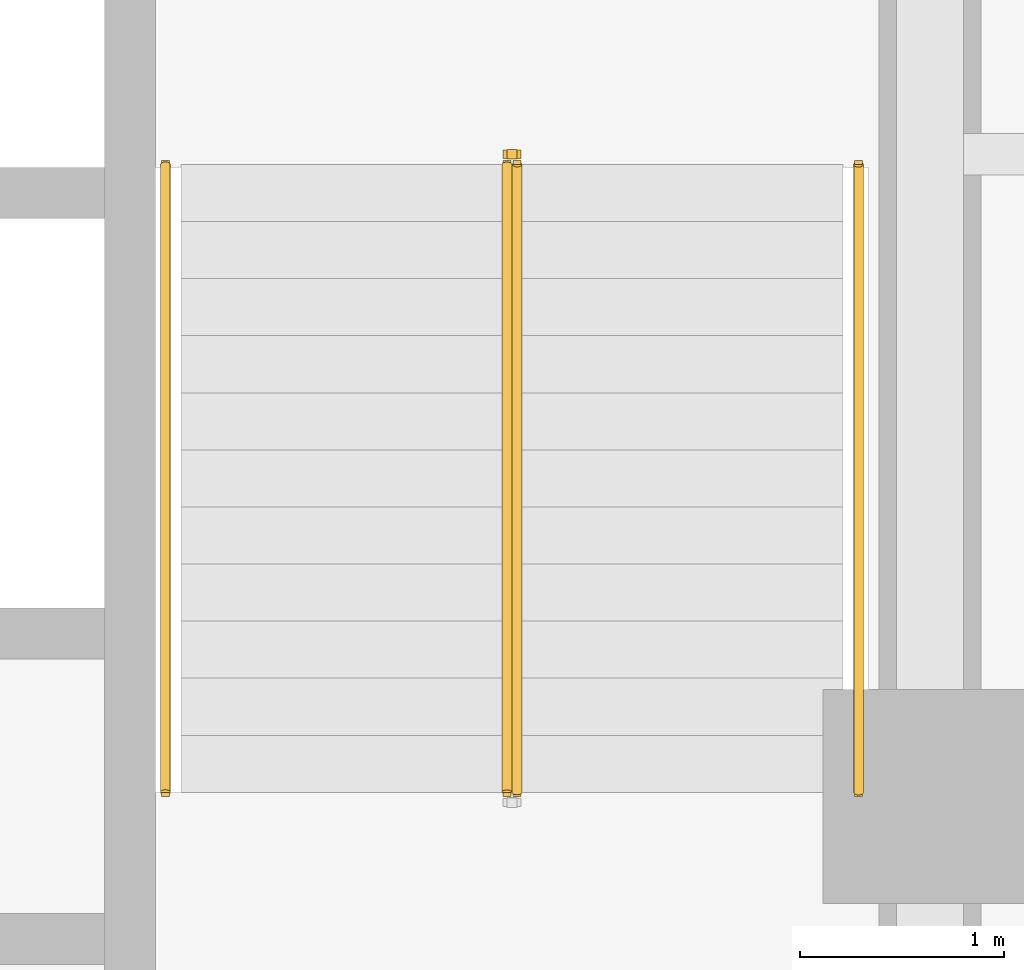
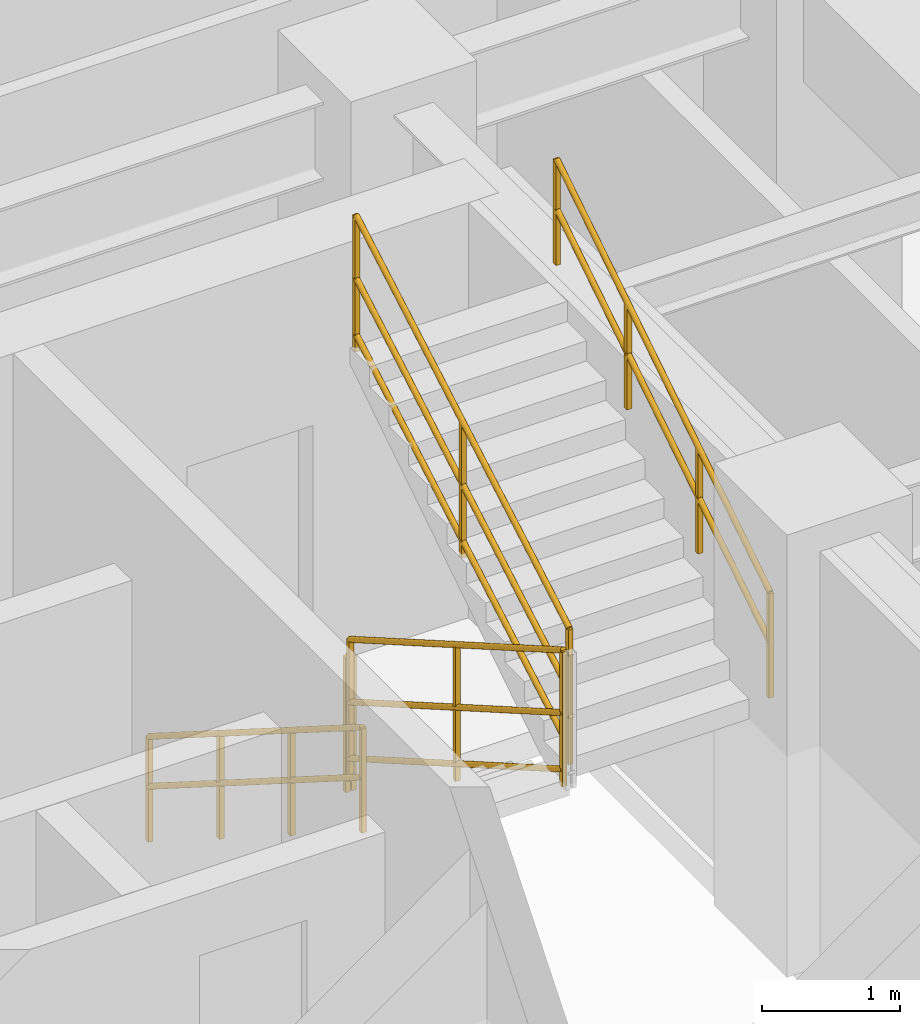
# One storey, part 8 of 9: 5 railings.
"""IFC4 building model written with IfcOpenShell, lengths in metres."""

import ifcopenshell
import ifcopenshell.guid

model = None  # the IFC model being written
_history = None  # IfcOwnerHistory: only IFC2X3 demands one
_inside = {}  # id of a spatial element -> (the spatial element, [elements in it])
_under = {}  # id of a project, library or spatial element -> (it, [spatial elements below it])
_declared = {}  # id of a project -> (the project, [libraries it declares])
_typed = {}  # id of a type object -> (the type object, [elements of that type])
_made_of = {}  # id of a material, layer set ... -> (it, [elements and type objects made of it])


def new_model(schema):
    """Start an empty IFC model of exactly this schema.

    Asked for "IFC4X3", IfcOpenShell would pick the latest addendum, in which some entities
    have other attributes; the version numbers below select the first issue.
    IFC2X3 requires an IfcOwnerHistory on every rooted entity: one is made here for all.
    """
    global model, _history
    if schema == "IFC4X3":
        model = ifcopenshell.file(schema_version=(4, 3, 0, 0))
    else:
        model = ifcopenshell.file(schema=schema)
    _inside.clear()
    _under.clear()
    _declared.clear()
    _typed.clear()
    _made_of.clear()
    _history = None
    if model.schema == "IFC2X3":
        org = make("IfcOrganization", Name="unknown")
        user = make(
            "IfcPersonAndOrganization",
            ThePerson=make("IfcPerson", FamilyName="unknown"),
            TheOrganization=org,
        )
        app = make(
            "IfcApplication",
            ApplicationDeveloper=org,
            Version="unknown",
            ApplicationFullName="unknown",
            ApplicationIdentifier="unknown",
        )
        _history = make(
            "IfcOwnerHistory",
            OwningUser=user,
            OwningApplication=app,
            ChangeAction="ADDED",
            CreationDate=0,
        )
    return model


def make(cls, **values):
    """One entity of the class cls with the attributes given. An attribute that is None is left unset."""
    return model.create_entity(
        cls, **{name: value for name, value in values.items() if value is not None}
    )


def entity(cls, *values):
    """Any entity or typed value of the class cls, its attributes in the order of the schema. None: left unset."""
    e = model.create_entity(cls)
    for i, value in enumerate(values):
        if value is not None:
            e[i] = value
    return e


def rooted(cls, **values):
    """An entity with a GlobalId (a new one), such as an element, a storey or a relation."""
    return make(cls, GlobalId=ifcopenshell.guid.new(), OwnerHistory=_history, **values)


def si_unit(unit_type, name, prefix=None):
    """IfcSIUnit, for example si_unit("LENGTHUNIT", "METRE", prefix="MILLI")."""
    return make("IfcSIUnit", UnitType=unit_type, Prefix=prefix, Name=name)


def converted_unit(unit_type, name, factor, base, dimensions=None, offset=None):
    """IfcConversionBasedUnit, such as the inch: factor (a typed value) times the base unit."""
    return make(
        "IfcConversionBasedUnit"
        if offset is None
        else "IfcConversionBasedUnitWithOffset",
        ConversionOffset=offset,
        Dimensions=None
        if dimensions is None
        else entity("IfcDimensionalExponents", *dimensions),
        UnitType=unit_type,
        Name=name,
        ConversionFactor=make(
            "IfcMeasureWithUnit", ValueComponent=factor, UnitComponent=base
        ),
    )


def assignment(units):
    """IfcUnitAssignment: the units of a project."""
    return None if units is None else make("IfcUnitAssignment", Units=units)


def point(xyz):
    """IfcCartesianPoint."""
    return None if xyz is None else make("IfcCartesianPoint", Coordinates=xyz)


def direction(xyz):
    """IfcDirection."""
    return None if xyz is None else make("IfcDirection", DirectionRatios=xyz)


def frame(location, z_axis=None, x_axis=None):
    """IfcAxis2Placement3D, a coordinate frame: its origin and axes. An axis left out is left unset."""
    return make(
        "IfcAxis2Placement3D",
        Location=point(location),
        Axis=direction(z_axis),
        RefDirection=direction(x_axis),
    )


def frame_2d(location, x_axis=None):
    """IfcAxis2Placement2D, a coordinate frame in the plane: its origin and x axis."""
    return make(
        "IfcAxis2Placement2D", Location=point(location), RefDirection=direction(x_axis)
    )


def origin_with_axes():
    """The frame at (0, 0, 0) with the z axis (0, 0, 1) and the x axis (1, 0, 0) written out."""
    return frame((0.0, 0.0, 0.0), z_axis=(0.0, 0.0, 1.0), x_axis=(1.0, 0.0, 0.0))


def origin_2d_with_axis():
    """The frame at (0, 0) in the plane with the x axis (1, 0) written out."""
    return frame_2d((0.0, 0.0), x_axis=(1.0, 0.0))


def place(relative_to, where):
    """IfcLocalPlacement: puts the frame where relative to a parent placement (None: the world)."""
    return make(
        "IfcLocalPlacement", PlacementRelTo=relative_to, RelativePlacement=where
    )


def context(
    kind, dimensions, precision=None, world=None, true_north=None, identifier=None
):
    """IfcGeometricRepresentationContext, for example the 3D "Model" context."""
    return make(
        "IfcGeometricRepresentationContext",
        ContextIdentifier=identifier,
        ContextType=kind,
        CoordinateSpaceDimension=dimensions,
        Precision=precision,
        WorldCoordinateSystem=world,
        TrueNorth=true_north,
    )


def subcontext(parent, identifier, kind, view, scale=None):
    """IfcGeometricRepresentationSubContext, for example "Body" below "Model"."""
    return make(
        "IfcGeometricRepresentationSubContext",
        ContextIdentifier=identifier,
        ContextType=kind,
        ParentContext=parent,
        TargetScale=scale,
        TargetView=view,
    )


def project(units=None, contexts=None):
    """IfcProject with its units and contexts."""
    return rooted(
        "IfcProject",
        Name="project",
        RepresentationContexts=contexts,
        UnitsInContext=assignment(units),
    )


def spatial(cls, under=None, at=None, **own):
    """A site, building, storey or space (cls), placed at a placement, below another one or the project."""
    s = rooted(cls, ObjectPlacement=at, **own)
    if under is not None:
        _under.setdefault(under.id(), (under, []))[1].append(s)
    return s


def profile(cls, at=None, kind="AREA", **sizes):
    """A parametric profile (cls). Its sizes go by their IFC names, for example OverallWidth=200.0."""
    return make(cls, ProfileType=kind, Position=at, **sizes)


def rectangle(**sizes):
    """IfcRectangleProfileDef."""
    return profile("IfcRectangleProfileDef", **sizes)


def circle(**sizes):
    """IfcCircleProfileDef."""
    return profile("IfcCircleProfileDef", **sizes)


def extrude(swept, where, along, depth):
    """IfcExtrudedAreaSolid: the profile swept, set in the frame where, extruded along a direction by depth."""
    return make(
        "IfcExtrudedAreaSolid",
        SweptArea=swept,
        Position=where,
        ExtrudedDirection=direction(along),
        Depth=depth,
    )


def shape(context_of_items, identifier, shape_type, items):
    """IfcShapeRepresentation: the items that make up one representation, for example the "Body"."""
    return make(
        "IfcShapeRepresentation",
        ContextOfItems=context_of_items,
        RepresentationIdentifier=identifier,
        RepresentationType=shape_type,
        Items=items,
    )


def material(Name=None, Category=None):
    """IfcMaterial."""
    return make("IfcMaterial", Name=Name, Category=Category)


def made_of(thing, what):
    """Note that an element or type object is made of a material, layer set ...; save() writes the relation."""
    if what is not None:
        _made_of.setdefault(what.id(), (what, []))[1].append(thing)
    return thing


def type_object(cls, material=None, **own):
    """A type object (cls), such as IfcWallType, which elements share."""
    return made_of(rooted(cls, **own), material)


def element(
    cls,
    number,
    at=None,
    inside=None,
    cuts=None,
    type_object=None,
    material=None,
    context=None,
    identifier="Body",
    shape_type=None,
    held_by="IfcProductDefinitionShape",
    body=None,
    shapes=None,
    **own,
):
    """One element of the class cls, such as IfcWall. Its Tag is "e" and its number.

    at: its placement. inside: the storey or other place that contains it. cuts: it is an
    opening in that element (IfcRelVoidsElement). A single representation is given by context,
    identifier, shape_type and body (its items); several are given by shapes. held_by: the class
    of the entity that holds the representations. save() writes the other relations.
    """
    e = rooted(cls, Tag="e%d" % number, ObjectPlacement=at, **own)
    if body is not None:
        shapes = [shape(context, identifier, shape_type, body)]
    if shapes is not None:
        e.Representation = make(held_by, Representations=shapes)
    if inside is not None:
        _inside.setdefault(inside.id(), (inside, []))[1].append(e)
    if cuts is not None:
        rooted(
            "IfcRelVoidsElement", RelatingBuildingElement=cuts, RelatedOpeningElement=e
        )
    if type_object is not None:
        _typed.setdefault(type_object.id(), (type_object, []))[1].append(e)
    return made_of(e, material)


def aggregate(whole, parts):
    """IfcRelAggregates: a whole, such as a stair, and the parts it consists of."""
    return rooted("IfcRelAggregates", RelatingObject=whole, RelatedObjects=parts)


def save(model, path):
    """Write the relations noted so far, then the file.

    IfcRelAggregates (storeys below a building ...), IfcRelContainedInSpatialStructure (elements
    in a storey), IfcRelDefinesByType, IfcRelAssociatesMaterial and IfcRelDeclares: one each for
    every whole, place, type object, material and project.
    """
    for whole, parts in _under.values():
        aggregate(whole, parts)
    for where, things in _inside.values():
        rooted(
            "IfcRelContainedInSpatialStructure",
            RelatedElements=things,
            RelatingStructure=where,
        )
    for kind, things in _typed.values():
        rooted("IfcRelDefinesByType", RelatedObjects=things, RelatingType=kind)
    for what, things in _made_of.values():
        rooted("IfcRelAssociatesMaterial", RelatedObjects=things, RelatingMaterial=what)
    for by, libraries in _declared.values():
        rooted("IfcRelDeclares", RelatingContext=by, RelatedDefinitions=libraries)
    model.write(path)


model = new_model("IFC4")

# Units and contexts
model_context = context("Model", 3, precision=1e-05, world=origin_with_axes(), true_north=direction((0.0, 1.0)))
body_context = subcontext(model_context, "Body", "Model", "MODEL_VIEW")
ifc_project = project(units=[si_unit("LENGTHUNIT", "METRE"), si_unit("AREAUNIT", "SQUARE_METRE"), si_unit("VOLUMEUNIT", "CUBIC_METRE"), converted_unit("PLANEANGLEUNIT", "DEGREE", entity("IfcPlaneAngleMeasure", 0.017453292519943295), si_unit("PLANEANGLEUNIT", "RADIAN"), dimensions=[0, 0, 0, 0, 0, 0, 0]), si_unit("MASSUNIT", "GRAM", prefix="KILO"), si_unit("THERMODYNAMICTEMPERATUREUNIT", "KELVIN")], contexts=[model_context])

# Site, building, storey
site_placement = place(None, origin_with_axes())
site = spatial("IfcSite", under=ifc_project, at=site_placement, CompositionType="ELEMENT")
building_placement = place(site_placement, origin_with_axes())
building = spatial("IfcBuilding", under=site, at=building_placement, Name="Varnlund Millrace Tower", CompositionType="ELEMENT")
storey_placement = place(building_placement, frame((0.0, 0.0, 132.9), z_axis=(0.0, 0.0, 1.0), x_axis=(1.0, 0.0, 0.0)))
storey = spatial("IfcBuildingStorey", under=building, at=storey_placement, Name="L32", CompositionType="ELEMENT", Elevation=132.9)

# Railings
ifc_material_1 = material(Name="Painted steel stair well balustrade guard", Category="steel")
railing_type_1 = type_object("IfcRailingType", Name="Type-StairGuard-1150", PredefinedType="GUARDRAIL", material=ifc_material_1)
railing_1_placement = place(storey_placement, frame((0.0, 0.0, -132.9), z_axis=(0.0, 0.0, 1.0), x_axis=(1.0, 0.0, 0.0)))
element("IfcRailing", 1, at=railing_1_placement, inside=storey, type_object=railing_type_1, Name="Type-StairGuard-1150", PredefinedType="GUARDRAIL", context=body_context, shape_type="SweptSolid", body=[
    extrude(circle(Radius=0.024, at=origin_2d_with_axis()), frame((45.975, 21.1, 134.227273), z_axis=(0.0, -0.866696, 0.498836), x_axis=(1.0, 0.0, 0.0)), (0.0, 0.0, 1.0), 3.553725),
    extrude(circle(Radius=0.024, at=origin_2d_with_axis()), frame((45.975, 21.1, 133.177273), z_axis=(0.0, -0.866696, 0.498836), x_axis=(1.0, 0.0, 0.0)), (0.0, 0.0, 1.0), 3.553725),
    extrude(circle(Radius=0.024, at=origin_2d_with_axis()), frame((45.975, 21.1, 133.675273), z_axis=(0.0, -0.866696, 0.498836), x_axis=(1.0, 0.0, 0.0)), (0.0, 0.0, 1.0), 3.553725),
    extrude(rectangle(XDim=0.04, YDim=0.04, at=origin_2d_with_axis()), frame((45.975, 21.1, 133.037273), z_axis=(0.0, 0.0, 1.0), x_axis=(1.0, 0.0, 0.0)), (0.0, 0.0, 1.0), 1.19),
    extrude(rectangle(XDim=0.04, YDim=0.04, at=origin_2d_with_axis()), frame((45.975, 19.56, 133.923637), z_axis=(0.0, 0.0, 1.0), x_axis=(1.0, 0.0, 0.0)), (0.0, 0.0, 1.0), 1.19),
    extrude(rectangle(XDim=0.04, YDim=0.04, at=origin_2d_with_axis()), frame((45.975, 18.02, 134.81), z_axis=(0.0, 0.0, 1.0), x_axis=(1.0, 0.0, 0.0)), (0.0, 0.0, 1.0), 1.19),
])
railing_2_placement = place(storey_placement, frame((0.0, 0.0, -132.9), z_axis=(0.0, 0.0, 1.0), x_axis=(1.0, 0.0, 0.0)))
element("IfcRailing", 2, at=railing_2_placement, inside=storey, type_object=railing_type_1, Name="Type-StairGuard-1150", PredefinedType="GUARDRAIL", context=body_context, shape_type="SweptSolid", body=[
    extrude(circle(Radius=0.024, at=origin_2d_with_axis()), frame((46.025, 18.02, 136.177273), z_axis=(0.0, 0.866696, 0.498836), x_axis=(-1.0, 0.0, 0.0)), (0.0, 0.0, 1.0), 3.553725),
    extrude(circle(Radius=0.024, at=origin_2d_with_axis()), frame((46.025, 18.02, 135.127273), z_axis=(0.0, 0.866696, 0.498836), x_axis=(-1.0, 0.0, 0.0)), (0.0, 0.0, 1.0), 3.553725),
    extrude(circle(Radius=0.024, at=origin_2d_with_axis()), frame((46.025, 18.02, 135.625273), z_axis=(0.0, 0.866696, 0.498836), x_axis=(-1.0, 0.0, 0.0)), (0.0, 0.0, 1.0), 3.553725),
    extrude(rectangle(XDim=0.04, YDim=0.04, at=origin_2d_with_axis()), frame((46.025, 18.02, 134.987273), z_axis=(0.0, 0.0, 1.0), x_axis=(1.0, 0.0, 0.0)), (0.0, 0.0, 1.0), 1.19),
    extrude(rectangle(XDim=0.04, YDim=0.04, at=origin_2d_with_axis()), frame((46.025, 19.56, 135.873636), z_axis=(0.0, 0.0, 1.0), x_axis=(1.0, 0.0, 0.0)), (0.0, 0.0, 1.0), 1.19),
    extrude(rectangle(XDim=0.04, YDim=0.04, at=origin_2d_with_axis()), frame((46.025, 21.1, 136.76), z_axis=(0.0, 0.0, 1.0), x_axis=(1.0, 0.0, 0.0)), (0.0, 0.0, 1.0), 1.19),
])
railing_3_placement = place(storey_placement, frame((0.0, 0.0, -132.9), z_axis=(0.0, 0.0, 1.0), x_axis=(1.0, 0.0, 0.0)))
element("IfcRailing", 3, at=railing_3_placement, inside=storey, type_object=railing_type_1, Name="Type-StairGuard-1150", PredefinedType="GUARDRAIL", context=body_context, shape_type="SweptSolid", body=[
    extrude(circle(Radius=0.024, at=origin_2d_with_axis()), frame((46.025, 21.15, 134.05), z_axis=(-1.0, 0.0, 0.0), x_axis=(0.0, -1.0, 0.0)), (0.0, 0.0, 1.0), 0.05),
    extrude(circle(Radius=0.024, at=origin_2d_with_axis()), frame((46.025, 21.15, 133.0), z_axis=(-1.0, 0.0, 0.0), x_axis=(0.0, -1.0, 0.0)), (0.0, 0.0, 1.0), 0.05),
    extrude(circle(Radius=0.024, at=origin_2d_with_axis()), frame((46.025, 21.15, 133.498), z_axis=(-1.0, 0.0, 0.0), x_axis=(0.0, -1.0, 0.0)), (0.0, 0.0, 1.0), 0.05),
    extrude(rectangle(XDim=0.04, YDim=0.04, at=origin_2d_with_axis()), frame((46.025, 21.15, 132.86), z_axis=(0.0, 0.0, 1.0), x_axis=(1.0, 0.0, 0.0)), (0.0, 0.0, 1.0), 1.19),
    extrude(rectangle(XDim=0.04, YDim=0.04, at=origin_2d_with_axis()), frame((45.975, 21.15, 132.86), z_axis=(0.0, 0.0, 1.0), x_axis=(1.0, 0.0, 0.0)), (0.0, 0.0, 1.0), 1.19),
])
ifc_material_2 = material(Name="Brushed architectural bronze stair handrail", Category="aluminium")
railing_type_2 = type_object("IfcRailingType", Name="Type-StairHandrail-900", PredefinedType="HANDRAIL", material=ifc_material_2)
railing_4_placement = place(storey_placement, frame((0.0, 0.0, -132.9), z_axis=(0.0, 0.0, 1.0), x_axis=(1.0, 0.0, 0.0)))
element("IfcRailing", 4, at=railing_4_placement, inside=storey, type_object=railing_type_2, Name="Type-StairHandrail-900", PredefinedType="HANDRAIL", context=body_context, shape_type="SweptSolid", body=[
    extrude(circle(Radius=0.024, at=origin_2d_with_axis()), frame((44.3, 21.1, 133.956995), z_axis=(0.0, -0.844902, 0.534922), x_axis=(1.0, 0.0, 0.0)), (0.0, 0.0, 1.0), 3.645394),
    extrude(circle(Radius=0.024, at=origin_2d_with_axis()), frame((44.3, 21.1, 133.517134), z_axis=(0.0, -0.844902, 0.534922), x_axis=(1.0, 0.0, 0.0)), (0.0, 0.0, 1.0), 3.645394),
    extrude(rectangle(XDim=0.04, YDim=0.04, at=origin_2d_with_axis()), frame((44.3, 21.1, 133.037273), z_axis=(0.0, 0.0, 1.0), x_axis=(1.0, 0.0, 0.0)), (0.0, 0.0, 1.0), 0.919722),
    extrude(rectangle(XDim=0.04, YDim=0.04, at=origin_2d_with_axis()), frame((44.3, 20.073333, 133.687273), z_axis=(0.0, 0.0, 1.0), x_axis=(1.0, 0.0, 0.0)), (0.0, 0.0, 1.0), 0.919722),
    extrude(rectangle(XDim=0.04, YDim=0.04, at=origin_2d_with_axis()), frame((44.3, 19.046667, 134.337273), z_axis=(0.0, 0.0, 1.0), x_axis=(1.0, 0.0, 0.0)), (0.0, 0.0, 1.0), 0.919722),
    extrude(rectangle(XDim=0.04, YDim=0.04, at=origin_2d_with_axis()), frame((44.3, 18.02, 134.987273), z_axis=(0.0, 0.0, 1.0), x_axis=(1.0, 0.0, 0.0)), (0.0, 0.0, 1.0), 0.919722),
])
railing_5_placement = place(storey_placement, frame((0.0, 0.0, -132.9), z_axis=(0.0, 0.0, 1.0), x_axis=(1.0, 0.0, 0.0)))
element("IfcRailing", 5, at=railing_5_placement, inside=storey, type_object=railing_type_2, Name="Type-StairHandrail-900", PredefinedType="HANDRAIL", context=body_context, shape_type="SweptSolid", body=[
    extrude(circle(Radius=0.024, at=origin_2d_with_axis()), frame((47.7, 18.02, 135.906995), z_axis=(0.0, 0.844902, 0.534922), x_axis=(-1.0, 0.0, 0.0)), (0.0, 0.0, 1.0), 3.645394),
    extrude(circle(Radius=0.024, at=origin_2d_with_axis()), frame((47.7, 18.02, 135.467134), z_axis=(0.0, 0.844902, 0.534922), x_axis=(-1.0, 0.0, 0.0)), (0.0, 0.0, 1.0), 3.645394),
    extrude(rectangle(XDim=0.04, YDim=0.04, at=origin_2d_with_axis()), frame((47.7, 18.02, 134.987273), z_axis=(0.0, 0.0, 1.0), x_axis=(1.0, 0.0, 0.0)), (0.0, 0.0, 1.0), 0.919722),
    extrude(rectangle(XDim=0.04, YDim=0.04, at=origin_2d_with_axis()), frame((47.7, 19.046667, 135.637273), z_axis=(0.0, 0.0, 1.0), x_axis=(1.0, 0.0, 0.0)), (0.0, 0.0, 1.0), 0.919722),
    extrude(rectangle(XDim=0.04, YDim=0.04, at=origin_2d_with_axis()), frame((47.7, 20.073333, 136.287273), z_axis=(0.0, 0.0, 1.0), x_axis=(1.0, 0.0, 0.0)), (0.0, 0.0, 1.0), 0.919722),
    extrude(rectangle(XDim=0.04, YDim=0.04, at=origin_2d_with_axis()), frame((47.7, 21.1, 136.937273), z_axis=(0.0, 0.0, 1.0), x_axis=(1.0, 0.0, 0.0)), (0.0, 0.0, 1.0), 0.919722),
])

save(model, "model.ifc")
